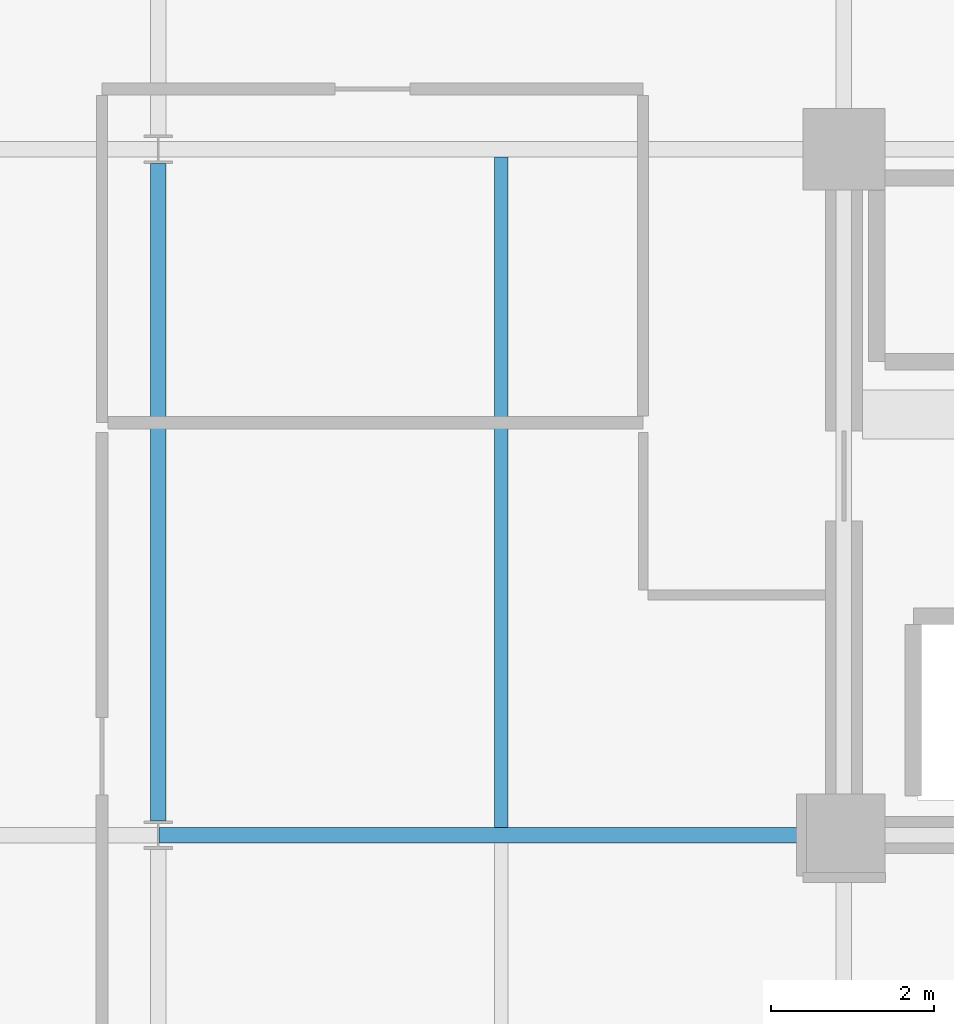
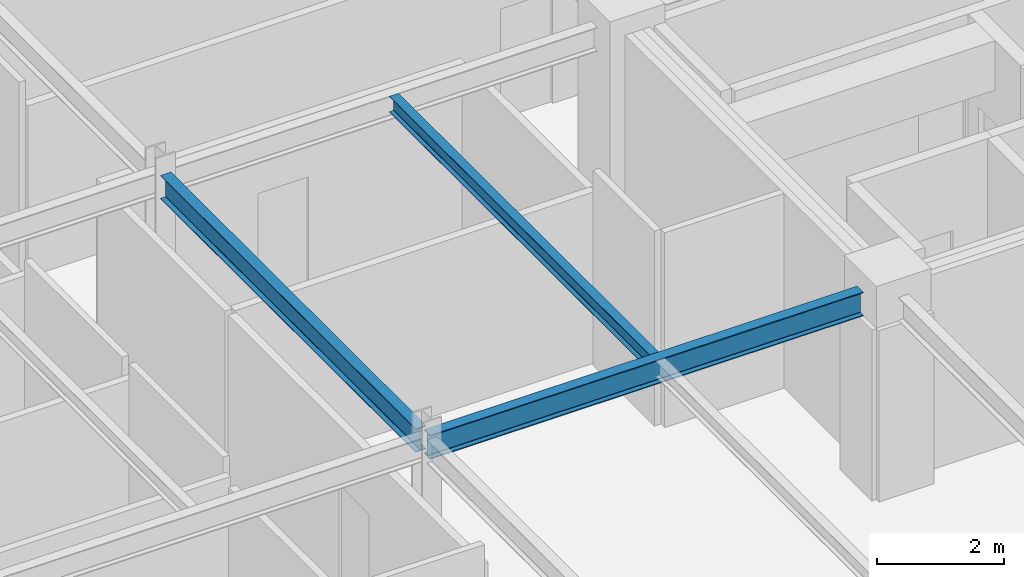
# One storey, part 5 of 26: 3 beams.
"""IFC4 building model written with IfcOpenShell, lengths in metres."""

import ifcopenshell
import ifcopenshell.guid

model = None  # the IFC model being written
_history = None  # IfcOwnerHistory: only IFC2X3 demands one
_inside = {}  # id of a spatial element -> (the spatial element, [elements in it])
_under = {}  # id of a project, library or spatial element -> (it, [spatial elements below it])
_declared = {}  # id of a project -> (the project, [libraries it declares])
_typed = {}  # id of a type object -> (the type object, [elements of that type])
_made_of = {}  # id of a material, layer set ... -> (it, [elements and type objects made of it])


def new_model(schema):
    """Start an empty IFC model of exactly this schema.

    Asked for "IFC4X3", IfcOpenShell would pick the latest addendum, in which some entities
    have other attributes; the version numbers below select the first issue.
    IFC2X3 requires an IfcOwnerHistory on every rooted entity: one is made here for all.
    """
    global model, _history
    if schema == "IFC4X3":
        model = ifcopenshell.file(schema_version=(4, 3, 0, 0))
    else:
        model = ifcopenshell.file(schema=schema)
    _inside.clear()
    _under.clear()
    _declared.clear()
    _typed.clear()
    _made_of.clear()
    _history = None
    if model.schema == "IFC2X3":
        org = make("IfcOrganization", Name="unknown")
        user = make(
            "IfcPersonAndOrganization",
            ThePerson=make("IfcPerson", FamilyName="unknown"),
            TheOrganization=org,
        )
        app = make(
            "IfcApplication",
            ApplicationDeveloper=org,
            Version="unknown",
            ApplicationFullName="unknown",
            ApplicationIdentifier="unknown",
        )
        _history = make(
            "IfcOwnerHistory",
            OwningUser=user,
            OwningApplication=app,
            ChangeAction="ADDED",
            CreationDate=0,
        )
    return model


def make(cls, **values):
    """One entity of the class cls with the attributes given. An attribute that is None is left unset."""
    return model.create_entity(
        cls, **{name: value for name, value in values.items() if value is not None}
    )


def rooted(cls, **values):
    """An entity with a GlobalId (a new one), such as an element, a storey or a relation."""
    return make(cls, GlobalId=ifcopenshell.guid.new(), OwnerHistory=_history, **values)


def si_unit(unit_type, name, prefix=None):
    """IfcSIUnit, for example si_unit("LENGTHUNIT", "METRE", prefix="MILLI")."""
    return make("IfcSIUnit", UnitType=unit_type, Prefix=prefix, Name=name)


def assignment(units):
    """IfcUnitAssignment: the units of a project."""
    return None if units is None else make("IfcUnitAssignment", Units=units)


def point(xyz):
    """IfcCartesianPoint."""
    return None if xyz is None else make("IfcCartesianPoint", Coordinates=xyz)


def direction(xyz):
    """IfcDirection."""
    return None if xyz is None else make("IfcDirection", DirectionRatios=xyz)


def frame(location, z_axis=None, x_axis=None):
    """IfcAxis2Placement3D, a coordinate frame: its origin and axes. An axis left out is left unset."""
    return make(
        "IfcAxis2Placement3D",
        Location=point(location),
        Axis=direction(z_axis),
        RefDirection=direction(x_axis),
    )


def frame_2d(location, x_axis=None):
    """IfcAxis2Placement2D, a coordinate frame in the plane: its origin and x axis."""
    return make(
        "IfcAxis2Placement2D", Location=point(location), RefDirection=direction(x_axis)
    )


def origin():
    """The frame at (0, 0, 0) with its axes left unset."""
    return frame((0.0, 0.0, 0.0))


def origin_2d():
    """The frame at (0, 0) in the plane with its x axis left unset."""
    return frame_2d((0.0, 0.0))


def place(relative_to, where):
    """IfcLocalPlacement: puts the frame where relative to a parent placement (None: the world)."""
    return make(
        "IfcLocalPlacement", PlacementRelTo=relative_to, RelativePlacement=where
    )


def context(
    kind, dimensions, precision=None, world=None, true_north=None, identifier=None
):
    """IfcGeometricRepresentationContext, for example the 3D "Model" context."""
    return make(
        "IfcGeometricRepresentationContext",
        ContextIdentifier=identifier,
        ContextType=kind,
        CoordinateSpaceDimension=dimensions,
        Precision=precision,
        WorldCoordinateSystem=world,
        TrueNorth=true_north,
    )


def subcontext(parent, identifier, kind, view, scale=None):
    """IfcGeometricRepresentationSubContext, for example "Body" below "Model"."""
    return make(
        "IfcGeometricRepresentationSubContext",
        ContextIdentifier=identifier,
        ContextType=kind,
        ParentContext=parent,
        TargetScale=scale,
        TargetView=view,
    )


def project(units=None, contexts=None):
    """IfcProject with its units and contexts."""
    return rooted(
        "IfcProject",
        Name="project",
        RepresentationContexts=contexts,
        UnitsInContext=assignment(units),
    )


def spatial(cls, under=None, at=None, **own):
    """A site, building, storey or space (cls), placed at a placement, below another one or the project."""
    s = rooted(cls, ObjectPlacement=at, **own)
    if under is not None:
        _under.setdefault(under.id(), (under, []))[1].append(s)
    return s


def profile(cls, at=None, kind="AREA", **sizes):
    """A parametric profile (cls). Its sizes go by their IFC names, for example OverallWidth=200.0."""
    return make(cls, ProfileType=kind, Position=at, **sizes)


def i_section(**sizes):
    """IfcIShapeProfileDef."""
    return profile("IfcIShapeProfileDef", **sizes)


def extrude(swept, where, along, depth):
    """IfcExtrudedAreaSolid: the profile swept, set in the frame where, extruded along a direction by depth."""
    return make(
        "IfcExtrudedAreaSolid",
        SweptArea=swept,
        Position=where,
        ExtrudedDirection=direction(along),
        Depth=depth,
    )


def shape(context_of_items, identifier, shape_type, items):
    """IfcShapeRepresentation: the items that make up one representation, for example the "Body"."""
    return make(
        "IfcShapeRepresentation",
        ContextOfItems=context_of_items,
        RepresentationIdentifier=identifier,
        RepresentationType=shape_type,
        Items=items,
    )


def material(Name=None, Category=None):
    """IfcMaterial."""
    return make("IfcMaterial", Name=Name, Category=Category)


def material_profile(
    of_material, cross_section, Name=None, Category=None, Priority=None
):
    """IfcMaterialProfile: a cross section and its material."""
    return make(
        "IfcMaterialProfile",
        Name=Name,
        Material=of_material,
        Profile=cross_section,
        Priority=Priority,
        Category=Category,
    )


def profile_set(profiles, Name=None, composite=None):
    """IfcMaterialProfileSet."""
    return make(
        "IfcMaterialProfileSet",
        Name=Name,
        MaterialProfiles=profiles,
        CompositeProfile=composite,
    )


def made_of(thing, what):
    """Note that an element or type object is made of a material, layer set ...; save() writes the relation."""
    if what is not None:
        _made_of.setdefault(what.id(), (what, []))[1].append(thing)
    return thing


def type_object(cls, material=None, **own):
    """A type object (cls), such as IfcWallType, which elements share."""
    return made_of(rooted(cls, **own), material)


def element(
    cls,
    number,
    at=None,
    inside=None,
    cuts=None,
    type_object=None,
    material=None,
    context=None,
    identifier="Body",
    shape_type=None,
    held_by="IfcProductDefinitionShape",
    body=None,
    shapes=None,
    **own,
):
    """One element of the class cls, such as IfcWall. Its Tag is "e" and its number.

    at: its placement. inside: the storey or other place that contains it. cuts: it is an
    opening in that element (IfcRelVoidsElement). A single representation is given by context,
    identifier, shape_type and body (its items); several are given by shapes. held_by: the class
    of the entity that holds the representations. save() writes the other relations.
    """
    e = rooted(cls, Tag="e%d" % number, ObjectPlacement=at, **own)
    if body is not None:
        shapes = [shape(context, identifier, shape_type, body)]
    if shapes is not None:
        e.Representation = make(held_by, Representations=shapes)
    if inside is not None:
        _inside.setdefault(inside.id(), (inside, []))[1].append(e)
    if cuts is not None:
        rooted(
            "IfcRelVoidsElement", RelatingBuildingElement=cuts, RelatedOpeningElement=e
        )
    if type_object is not None:
        _typed.setdefault(type_object.id(), (type_object, []))[1].append(e)
    return made_of(e, material)


def aggregate(whole, parts):
    """IfcRelAggregates: a whole, such as a stair, and the parts it consists of."""
    return rooted("IfcRelAggregates", RelatingObject=whole, RelatedObjects=parts)


def save(model, path):
    """Write the relations noted so far, then the file.

    IfcRelAggregates (storeys below a building ...), IfcRelContainedInSpatialStructure (elements
    in a storey), IfcRelDefinesByType, IfcRelAssociatesMaterial and IfcRelDeclares: one each for
    every whole, place, type object, material and project.
    """
    for whole, parts in _under.values():
        aggregate(whole, parts)
    for where, things in _inside.values():
        rooted(
            "IfcRelContainedInSpatialStructure",
            RelatedElements=things,
            RelatingStructure=where,
        )
    for kind, things in _typed.values():
        rooted("IfcRelDefinesByType", RelatedObjects=things, RelatingType=kind)
    for what, things in _made_of.values():
        rooted("IfcRelAssociatesMaterial", RelatedObjects=things, RelatingMaterial=what)
    for by, libraries in _declared.values():
        rooted("IfcRelDeclares", RelatingContext=by, RelatedDefinitions=libraries)
    model.write(path)


model = new_model("IFC4")

# Units and contexts
model_context = context("Model", 3, precision=1e-05, world=origin(), true_north=direction((0.0, 1.0)))
body_context = subcontext(model_context, "Body", "Model", "MODEL_VIEW")
ifc_project = project(units=[si_unit("LENGTHUNIT", "METRE"), si_unit("AREAUNIT", "SQUARE_METRE"), si_unit("VOLUMEUNIT", "CUBIC_METRE"), si_unit("PLANEANGLEUNIT", "RADIAN"), si_unit("MASSUNIT", "GRAM", prefix="KILO")], contexts=[model_context])

# Site, building, storey
site_placement = place(None, origin())
site = spatial("IfcSite", under=ifc_project, at=site_placement, CompositionType="ELEMENT")
building_placement = place(site_placement, origin())
building = spatial("IfcBuilding", under=site, at=building_placement, Name="Nerrivon Quay Data Exchange", CompositionType="ELEMENT")
storey_placement = place(building_placement, frame((0.0, 0.0, 241.10009765625)))
storey = spatial("IfcBuildingStorey", under=building, at=storey_placement, Name="L57", CompositionType="ELEMENT", Elevation=241.10009765625)

# Beams
ifc_material = material(Name="Steel Grade 350", Category="steel")
ifc_material_profile_1 = material_profile(ifc_material, i_section(OverallWidth=0.19091796875, OverallDepth=0.4599609375, WebThickness=0.010009765625, FlangeThickness=0.01611328125, FilletRadius=0.011474609375, at=origin_2d()), Name="460UB82.1")
ifc_profile_set_1 = profile_set([ifc_material_profile_1], Name="Steel Grade 350")
beam_type_1 = type_object("IfcBeamType", Name="BM-G5-460UB82", PredefinedType="BEAM", material=ifc_profile_set_1)
beam_1_placement = place(storey_placement, frame((8.409912109375, 8.39990234375, 3.52001953125), z_axis=(1.0, 0.0, 0.0), x_axis=(0.0, 1.0, 0.0)))
element("IfcBeam", 1, at=beam_1_placement, inside=storey, type_object=beam_type_1, Name="L57 EW Girder Y=8.4 (8.4..16.8)", PredefinedType="BEAM", context=body_context, shape_type="SweptSolid", body=[
    extrude(i_section(OverallWidth=0.19091796875, OverallDepth=0.4599609375, WebThickness=0.010009765625, FlangeThickness=0.01611328125, FilletRadius=0.011474609375, at=origin_2d()), origin(), (0.0, 0.0, 1.0), 7.89013671875),
])
ifc_material_profile_2 = material_profile(ifc_material, i_section(OverallWidth=0.18994140625, OverallDepth=0.4541015625, WebThickness=0.008544921875, FlangeThickness=0.0126953125, FilletRadius=0.011474609375, at=origin_2d()), Name="460UB67.1")
ifc_profile_set_2 = profile_set([ifc_material_profile_2], Name="Steel Grade 350")
beam_type_2 = type_object("IfcBeamType", Name="BM-G6-460UB67", PredefinedType="BEAM", material=ifc_profile_set_2)
beam_2_placement = place(storey_placement, frame((8.39990234375, 8.574951171875, 3.52294921875), z_axis=(0.0, 1.0, 0.0), x_axis=(-1.0, 0.0, 0.0)))
element("IfcBeam", 2, at=beam_2_placement, inside=storey, type_object=beam_type_2, Name="L57 NS Girder X=8.4 (8.4..16.8)", PredefinedType="BEAM", context=body_context, shape_type="SweptSolid", body=[
    extrude(i_section(OverallWidth=0.18994140625, OverallDepth=0.4541015625, WebThickness=0.008544921875, FlangeThickness=0.0126953125, FilletRadius=0.011474609375, at=origin_2d()), origin(), (0.0, 0.0, 1.0), 8.050048828125),
])
ifc_material_profile_3 = material_profile(ifc_material, i_section(OverallWidth=0.166015625, OverallDepth=0.306884765625, WebThickness=0.006591796875, FlangeThickness=0.01171875, FilletRadius=0.011474609375, at=origin_2d()), Name="310UB46.2")
ifc_profile_set_3 = profile_set([ifc_material_profile_3], Name="Steel Grade 350")
beam_type_3 = type_object("IfcBeamType", Name="BM-J5-310UB46", PredefinedType="JOIST", material=ifc_profile_set_3)
beam_3_placement = place(storey_placement, frame((12.60009765625, 8.49560546875, 3.596435546875), z_axis=(0.0, 1.0, 0.0), x_axis=(-1.0, 0.0, 0.0)))
element("IfcBeam", 3, at=beam_3_placement, inside=storey, type_object=beam_type_3, Name="L57 Secondary Joist X=12.6 (8.4..16.8)", PredefinedType="JOIST", context=body_context, shape_type="SweptSolid", body=[
    extrude(i_section(OverallWidth=0.166015625, OverallDepth=0.306884765625, WebThickness=0.006591796875, FlangeThickness=0.01171875, FilletRadius=0.011474609375, at=origin_2d()), origin(), (0.0, 0.0, 1.0), 8.208984375),
])

save(model, "model.ifc")
